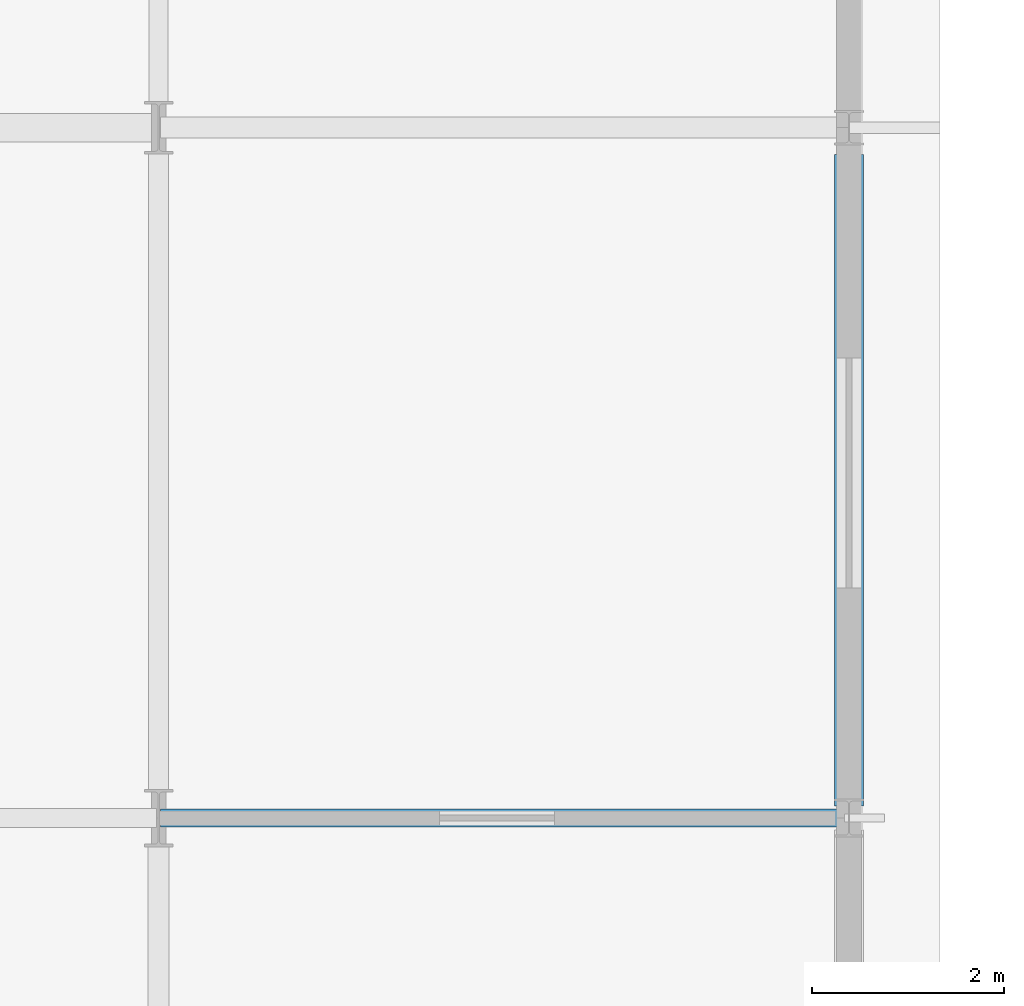
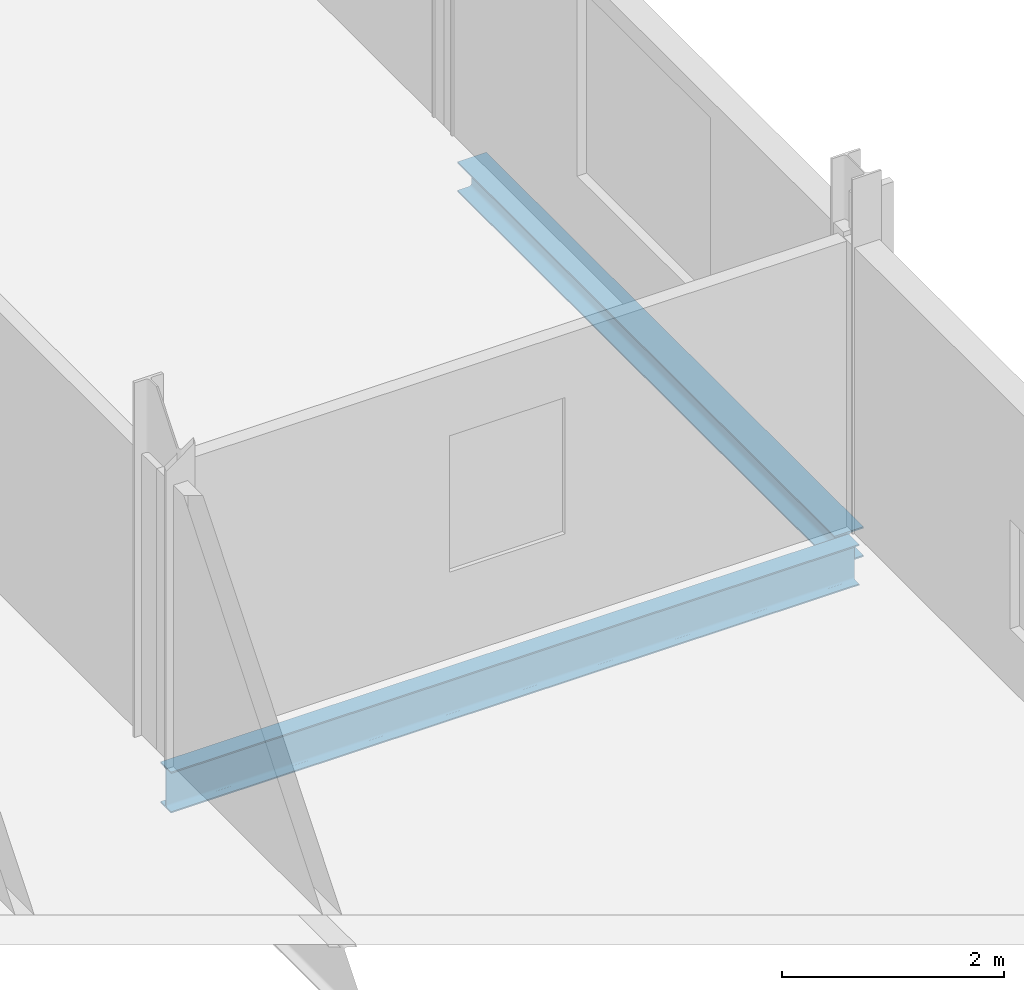
# One storey, part 32 of 78: 2 beams.
"""IFC4 building model written with IfcOpenShell, lengths in metres."""

from ifc_helpers import new_model, si_unit, direction, frame, origin, origin_2d, place, context, subcontext, project, spatial, i_section, extrude, material, material_profile, profile_set, type_object, element, save


model = new_model("IFC4")

# Units and contexts
model_context = context("Model", 3, precision=1e-05, world=origin(), true_north=direction((0.0, 1.0)))
body_context = subcontext(model_context, "Body", "Model", "MODEL_VIEW")
ifc_project = project(units=[si_unit("LENGTHUNIT", "METRE"), si_unit("AREAUNIT", "SQUARE_METRE"), si_unit("VOLUMEUNIT", "CUBIC_METRE"), si_unit("PLANEANGLEUNIT", "RADIAN"), si_unit("MASSUNIT", "GRAM", prefix="KILO")], contexts=[model_context])

# Site, building, storey
site_placement = place(None, origin())
site = spatial("IfcSite", under=ifc_project, at=site_placement, CompositionType="ELEMENT")
building_placement = place(site_placement, origin())
building = spatial("IfcBuilding", under=site, at=building_placement, Name="Vinh Khe Railworks Police Headquarters", CompositionType="ELEMENT")
storey_placement = place(building_placement, frame((0.0, 0.0, 13.199951171875)))
storey = spatial("IfcBuildingStorey", under=building, at=storey_placement, Name="L03", CompositionType="ELEMENT", Elevation=13.199951171875)

# Beams
ifc_material = material(Name="Steel S355JR", Category="steel")
ifc_material_profile_1 = material_profile(ifc_material, i_section(OverallWidth=0.300048828125, OverallDepth=0.330078125, WebThickness=0.009521484375, FlangeThickness=0.0166015625, FilletRadius=0.027099609375, at=origin_2d()), Name="HEA 340")
ifc_profile_set_1 = profile_set([ifc_material_profile_1], Name="Steel S355JR")
beam_type_1 = type_object("IfcBeamType", Name="Steel Girder HEA 340", PredefinedType="BEAM", material=ifc_profile_set_1)
beam_1_placement = place(storey_placement, frame((22.199951171875, 66.72509765625, -0.385009765625), z_axis=(0.0, 1.0, 0.0), x_axis=(-1.0, 0.0, 0.0)))
element("IfcBeam", 1, at=beam_1_placement, inside=storey, type_object=beam_type_1, Name="Girder BM-L03-NS-SB-16-1202", PredefinedType="BEAM", context=body_context, shape_type="SweptSolid", body=[
    extrude(i_section(OverallWidth=0.300048828125, OverallDepth=0.330078125, WebThickness=0.009521484375, FlangeThickness=0.0166015625, FilletRadius=0.027099609375, at=origin_2d()), origin(), (0.0, 0.0, 1.0), 6.794921875),
])
ifc_material_profile_2 = material_profile(ifc_material, i_section(OverallWidth=0.18994140625, OverallDepth=0.449951171875, WebThickness=0.009521484375, FlangeThickness=0.0146484375, FilletRadius=0.02099609375, at=origin_2d()), Name="IPE 450")
ifc_profile_set_2 = profile_set([ifc_material_profile_2], Name="Steel S355JR")
beam_type_2 = type_object("IfcBeamType", Name="Steel Girder IPE 450", PredefinedType="BEAM", material=ifc_profile_set_2)
beam_2_placement = place(storey_placement, frame((15.02001953125, 66.60009765625, -0.445068359375), z_axis=(1.0, 0.0, 0.0), x_axis=(0.0, 1.0, 0.0)))
element("IfcBeam", 2, at=beam_2_placement, inside=storey, type_object=beam_type_2, Name="Girder BM-L03-EW-SB-20-1068", PredefinedType="BEAM", context=body_context, shape_type="SweptSolid", body=[
    extrude(i_section(OverallWidth=0.18994140625, OverallDepth=0.449951171875, WebThickness=0.009521484375, FlangeThickness=0.0146484375, FilletRadius=0.02099609375, at=origin_2d()), origin(), (0.0, 0.0, 1.0), 7.159912109375),
])

save(model, "model.ifc")
